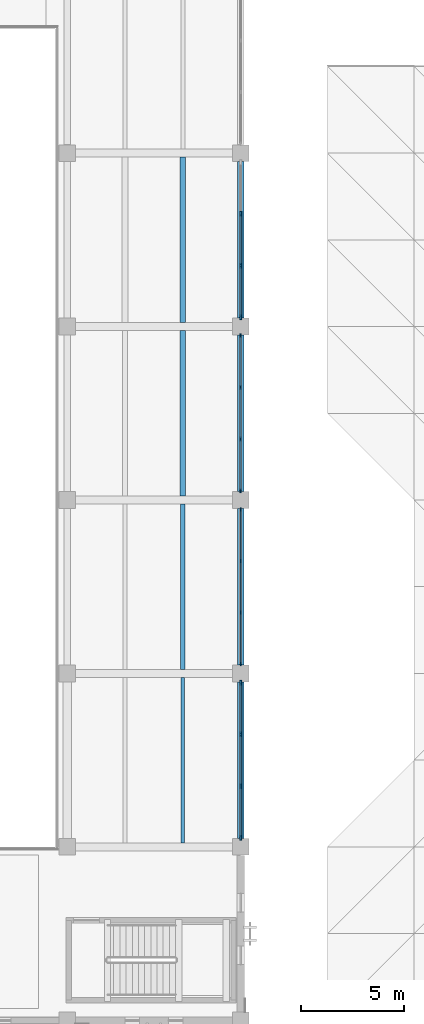
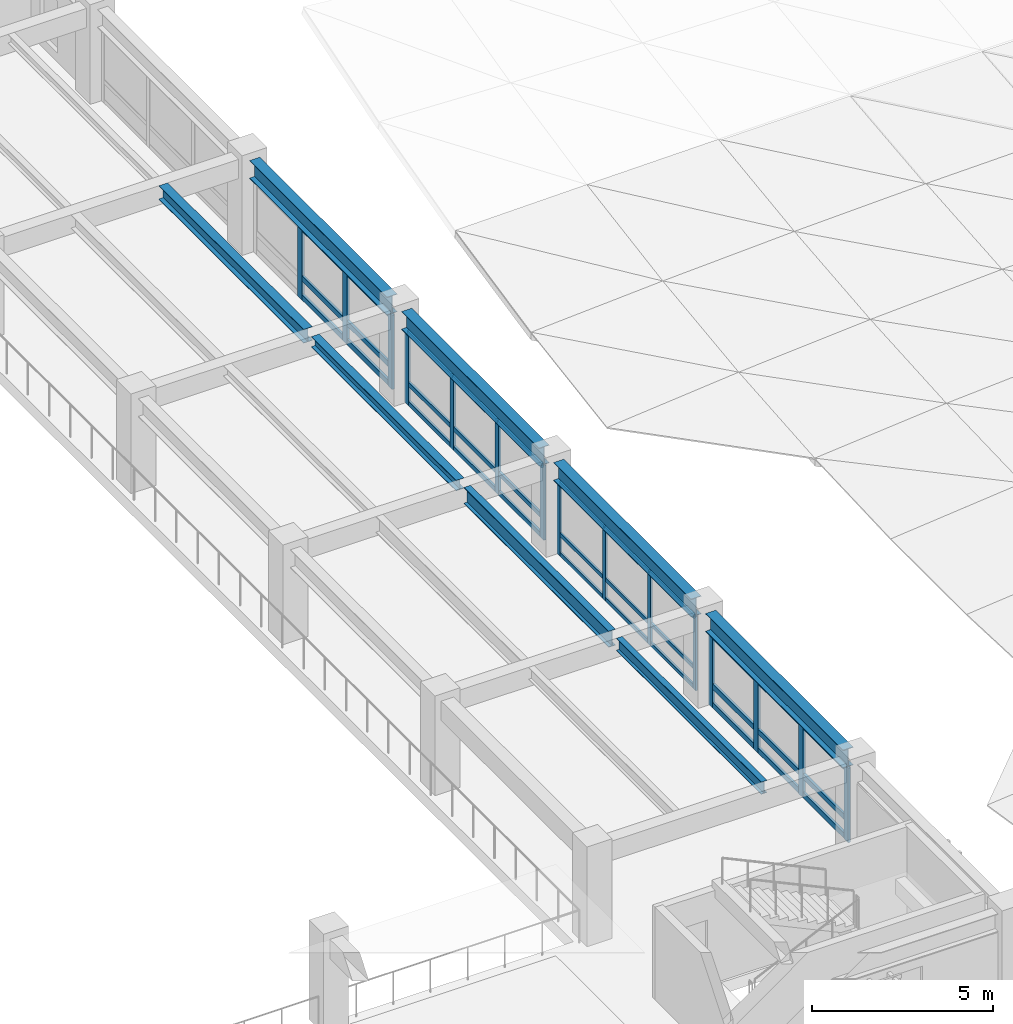
# One storey, part 12 of 123: 48 members, 8 beams, 4 elements without a shape of their own.
"""IFC4 building model written with IfcOpenShell, lengths in metres."""

from ifc_helpers import new_model, si_unit, direction, frame, origin, origin_2d, place, context, subcontext, project, spatial, rectangle, i_section, extrude, material, material_profile, profile_set, type_object, element, aggregate, save


model = new_model("IFC4")

# Units and contexts
model_context = context("Model", 3, precision=1e-05, world=origin(), true_north=direction((0.0, 1.0)))
body_context = subcontext(model_context, "Body", "Model", "MODEL_VIEW")
ifc_project = project(units=[si_unit("LENGTHUNIT", "METRE"), si_unit("AREAUNIT", "SQUARE_METRE"), si_unit("VOLUMEUNIT", "CUBIC_METRE"), si_unit("PLANEANGLEUNIT", "RADIAN"), si_unit("MASSUNIT", "GRAM", prefix="KILO")], contexts=[model_context])

# Site, building, storey
site_placement = place(None, origin())
site = spatial("IfcSite", under=ifc_project, at=site_placement, CompositionType="ELEMENT")
building_placement = place(site_placement, origin())
building = spatial("IfcBuilding", under=site, at=building_placement, Name="Cumbredor Promenade Congress Hotel", CompositionType="ELEMENT")
storey_placement = place(building_placement, frame((0.0, 0.0, 11.760009765625)))
storey = spatial("IfcBuildingStorey", under=building, at=storey_placement, Name="L03", CompositionType="ELEMENT", Elevation=11.760009765625)

# Curtain wall, members
ifc_material_1 = material(Name="Thermally broken anodized aluminium and low-E glass", Category="aluminium")
curtain_wall_type = type_object("IfcCurtainWallType", Name="Unitised Bronze Curtain Wall CW-01", PredefinedType="NOTDEFINED", material=ifc_material_1)
curtain_wall_1_placement = place(storey_placement, origin())
curtain_wall_1 = element("IfcCurtainWall", 1, at=curtain_wall_1_placement, inside=storey, type_object=curtain_wall_type, Name="L03 Plenary Congress Hall East Curtain Wall 3", PredefinedType="NOTDEFINED")
ifc_material_2 = material(Name="Thermally broken anodized aluminium", Category="aluminium")
ifc_material_profile_1 = material_profile(ifc_material_2, rectangle(XDim=0.06494140625, YDim=0.159912109375, at=origin_2d()), Name="ALU MULLION 65x160")
ifc_profile_set_1 = profile_set([ifc_material_profile_1], Name="Thermally broken anodized aluminium")
member_type_1 = type_object("IfcMemberType", Name="Curtain Wall Mullion ML-01", PredefinedType="MULLION", material=ifc_profile_set_1)
member_1_placement = place(storey_placement, frame((67.199951171875, 25.655029296875, -0.008056640625), z_axis=(0.0, 0.0, 1.0), x_axis=(1.0, 0.0, 0.0)))
member_1 = element("IfcMember", 2, at=member_1_placement, type_object=member_type_1, Name="L03 Plenary Congress Hall East Curtain Wall 3 Mullion 1", PredefinedType="MULLION", context=body_context, shape_type="SweptSolid", body=[
    extrude(rectangle(XDim=0.06494140625, YDim=0.159912109375, at=origin_2d()), origin(), (0.0, 0.0, 1.0), 2.510009765625),
])
member_2_placement = place(storey_placement, frame((67.199951171875, 28.151611328125, -0.008056640625), z_axis=(0.0, 0.0, 1.0), x_axis=(1.0, 0.0, 0.0)))
member_2 = element("IfcMember", 3, at=member_2_placement, type_object=member_type_1, Name="L03 Plenary Congress Hall East Curtain Wall 3 Mullion 2", PredefinedType="MULLION", context=body_context, shape_type="SweptSolid", body=[
    extrude(rectangle(XDim=0.06494140625, YDim=0.159912109375, at=origin_2d()), origin(), (0.0, 0.0, 1.0), 2.510009765625),
])
member_3_placement = place(storey_placement, frame((67.199951171875, 30.648193359375, -0.008056640625), z_axis=(0.0, 0.0, 1.0), x_axis=(1.0, 0.0, 0.0)))
member_3 = element("IfcMember", 4, at=member_3_placement, type_object=member_type_1, Name="L03 Plenary Congress Hall East Curtain Wall 3 Mullion 3", PredefinedType="MULLION", context=body_context, shape_type="SweptSolid", body=[
    extrude(rectangle(XDim=0.06494140625, YDim=0.159912109375, at=origin_2d()), origin(), (0.0, 0.0, 1.0), 2.510009765625),
])
member_4_placement = place(storey_placement, frame((67.199951171875, 33.14501953125, -0.008056640625), z_axis=(0.0, 0.0, 1.0), x_axis=(1.0, 0.0, 0.0)))
member_4 = element("IfcMember", 5, at=member_4_placement, type_object=member_type_1, Name="L03 Plenary Congress Hall East Curtain Wall 3 Mullion 4", PredefinedType="MULLION", context=body_context, shape_type="SweptSolid", body=[
    extrude(rectangle(XDim=0.06494140625, YDim=0.159912109375, at=origin_2d()), origin(), (0.0, 0.0, 1.0), 2.510009765625),
])

curtain_wall_2_placement = place(storey_placement, origin())
curtain_wall_2 = element("IfcCurtainWall", 6, at=curtain_wall_2_placement, inside=storey, type_object=curtain_wall_type, Name="L03 Plenary Congress Hall East Curtain Wall 4", PredefinedType="NOTDEFINED")
ifc_material_profile_2 = material_profile(ifc_material_2, rectangle(XDim=0.074951171875, YDim=0.199951171875, at=origin_2d()), Name="ALU MULLION 75x200")
ifc_profile_set_2 = profile_set([ifc_material_profile_2], Name="Thermally broken anodized aluminium")
member_type_2 = type_object("IfcMemberType", Name="Curtain Wall Mullion ML-02", PredefinedType="MULLION", material=ifc_profile_set_2)
member_5_placement = place(storey_placement, frame((67.199951171875, 34.054931640625, -0.008056640625), z_axis=(0.0, 0.0, 1.0), x_axis=(1.0, 0.0, 0.0)))
member_5 = element("IfcMember", 7, at=member_5_placement, type_object=member_type_2, Name="L03 Plenary Congress Hall East Curtain Wall 4 Mullion 1", PredefinedType="MULLION", context=body_context, shape_type="SweptSolid", body=[
    extrude(rectangle(XDim=0.074951171875, YDim=0.199951171875, at=origin_2d()), origin(), (0.0, 0.0, 1.0), 2.510009765625),
])
member_6_placement = place(storey_placement, frame((67.199951171875, 36.5517578125, -0.008056640625), z_axis=(0.0, 0.0, 1.0), x_axis=(1.0, 0.0, 0.0)))
member_6 = element("IfcMember", 8, at=member_6_placement, type_object=member_type_2, Name="L03 Plenary Congress Hall East Curtain Wall 4 Mullion 2", PredefinedType="MULLION", context=body_context, shape_type="SweptSolid", body=[
    extrude(rectangle(XDim=0.074951171875, YDim=0.199951171875, at=origin_2d()), origin(), (0.0, 0.0, 1.0), 2.510009765625),
])
member_7_placement = place(storey_placement, frame((67.199951171875, 39.04833984375, -0.008056640625), z_axis=(0.0, 0.0, 1.0), x_axis=(1.0, 0.0, 0.0)))
member_7 = element("IfcMember", 9, at=member_7_placement, type_object=member_type_2, Name="L03 Plenary Congress Hall East Curtain Wall 4 Mullion 3", PredefinedType="MULLION", context=body_context, shape_type="SweptSolid", body=[
    extrude(rectangle(XDim=0.074951171875, YDim=0.199951171875, at=origin_2d()), origin(), (0.0, 0.0, 1.0), 2.510009765625),
])
member_8_placement = place(storey_placement, frame((67.199951171875, 41.544921875, -0.008056640625), z_axis=(0.0, 0.0, 1.0), x_axis=(1.0, 0.0, 0.0)))
member_8 = element("IfcMember", 10, at=member_8_placement, type_object=member_type_2, Name="L03 Plenary Congress Hall East Curtain Wall 4 Mullion 4", PredefinedType="MULLION", context=body_context, shape_type="SweptSolid", body=[
    extrude(rectangle(XDim=0.074951171875, YDim=0.199951171875, at=origin_2d()), origin(), (0.0, 0.0, 1.0), 2.510009765625),
])

curtain_wall_3_placement = place(storey_placement, origin())
curtain_wall_3 = element("IfcCurtainWall", 11, at=curtain_wall_3_placement, inside=storey, type_object=curtain_wall_type, Name="L03 Plenary Congress Hall East Curtain Wall 2", PredefinedType="NOTDEFINED")
ifc_material_profile_3 = material_profile(ifc_material_2, rectangle(XDim=0.080078125, YDim=0.239990234375, at=origin_2d()), Name="ALU MULLION 80x240")
ifc_profile_set_3 = profile_set([ifc_material_profile_3], Name="Thermally broken anodized aluminium")
member_type_3 = type_object("IfcMemberType", Name="Curtain Wall Mullion ML-03", PredefinedType="MULLION", material=ifc_profile_set_3)
member_9_placement = place(storey_placement, frame((67.199951171875, 17.2548828125, -0.008056640625), z_axis=(0.0, 0.0, 1.0), x_axis=(1.0, 0.0, 0.0)))
member_9 = element("IfcMember", 12, at=member_9_placement, type_object=member_type_3, Name="L03 Plenary Congress Hall East Curtain Wall 2 Mullion 1", PredefinedType="MULLION", context=body_context, shape_type="SweptSolid", body=[
    extrude(rectangle(XDim=0.080078125, YDim=0.239990234375, at=origin_2d()), origin(), (0.0, 0.0, 1.0), 2.510009765625),
])
member_10_placement = place(storey_placement, frame((67.199951171875, 19.751708984375, -0.008056640625), z_axis=(0.0, 0.0, 1.0), x_axis=(1.0, 0.0, 0.0)))
member_10 = element("IfcMember", 13, at=member_10_placement, type_object=member_type_3, Name="L03 Plenary Congress Hall East Curtain Wall 2 Mullion 2", PredefinedType="MULLION", context=body_context, shape_type="SweptSolid", body=[
    extrude(rectangle(XDim=0.080078125, YDim=0.239990234375, at=origin_2d()), origin(), (0.0, 0.0, 1.0), 2.510009765625),
])
member_11_placement = place(storey_placement, frame((67.199951171875, 22.248291015625, -0.008056640625), z_axis=(0.0, 0.0, 1.0), x_axis=(1.0, 0.0, 0.0)))
member_11 = element("IfcMember", 14, at=member_11_placement, type_object=member_type_3, Name="L03 Plenary Congress Hall East Curtain Wall 2 Mullion 3", PredefinedType="MULLION", context=body_context, shape_type="SweptSolid", body=[
    extrude(rectangle(XDim=0.080078125, YDim=0.239990234375, at=origin_2d()), origin(), (0.0, 0.0, 1.0), 2.510009765625),
])
member_12_placement = place(storey_placement, frame((67.199951171875, 24.7451171875, -0.008056640625), z_axis=(0.0, 0.0, 1.0), x_axis=(1.0, 0.0, 0.0)))
member_12 = element("IfcMember", 15, at=member_12_placement, type_object=member_type_3, Name="L03 Plenary Congress Hall East Curtain Wall 2 Mullion 4", PredefinedType="MULLION", context=body_context, shape_type="SweptSolid", body=[
    extrude(rectangle(XDim=0.080078125, YDim=0.239990234375, at=origin_2d()), origin(), (0.0, 0.0, 1.0), 2.510009765625),
])

curtain_wall_4_placement = place(storey_placement, origin())
curtain_wall_4 = element("IfcCurtainWall", 16, at=curtain_wall_4_placement, inside=storey, type_object=curtain_wall_type, Name="L03 Plenary Congress Hall East Curtain Wall 5", PredefinedType="NOTDEFINED")
member_13_placement = place(storey_placement, frame((67.199951171875, 42.455078125, -0.008056640625), z_axis=(0.0, 0.0, 1.0), x_axis=(1.0, 0.0, 0.0)))
member_13 = element("IfcMember", 17, at=member_13_placement, type_object=member_type_3, Name="L03 Plenary Congress Hall East Curtain Wall 5 Mullion 1", PredefinedType="MULLION", context=body_context, shape_type="SweptSolid", body=[
    extrude(rectangle(XDim=0.080078125, YDim=0.239990234375, at=origin_2d()), origin(), (0.0, 0.0, 1.0), 2.510009765625),
])
member_14_placement = place(storey_placement, frame((67.199951171875, 44.95166015625, -0.008056640625), z_axis=(0.0, 0.0, 1.0), x_axis=(1.0, 0.0, 0.0)))
member_14 = element("IfcMember", 18, at=member_14_placement, type_object=member_type_3, Name="L03 Plenary Congress Hall East Curtain Wall 5 Mullion 2", PredefinedType="MULLION", context=body_context, shape_type="SweptSolid", body=[
    extrude(rectangle(XDim=0.080078125, YDim=0.239990234375, at=origin_2d()), origin(), (0.0, 0.0, 1.0), 2.510009765625),
])
member_15_placement = place(storey_placement, frame((67.199951171875, 47.4482421875, -0.008056640625), z_axis=(0.0, 0.0, 1.0), x_axis=(1.0, 0.0, 0.0)))
member_15 = element("IfcMember", 19, at=member_15_placement, type_object=member_type_3, Name="L03 Plenary Congress Hall East Curtain Wall 5 Mullion 3", PredefinedType="MULLION", context=body_context, shape_type="SweptSolid", body=[
    extrude(rectangle(XDim=0.080078125, YDim=0.239990234375, at=origin_2d()), origin(), (0.0, 0.0, 1.0), 2.510009765625),
])

# Member
ifc_material_profile_4 = material_profile(ifc_material_2, rectangle(XDim=0.06494140625, YDim=0.1298828125, at=origin_2d()), Name="ALU TRANSOM 65x130")
ifc_profile_set_4 = profile_set([ifc_material_profile_4], Name="Thermally broken anodized aluminium")
member_type_4 = type_object("IfcMemberType", Name="Curtain Wall Transom TR-01", PredefinedType="USERDEFINED", material=ifc_profile_set_4)
member_16_placement = place(storey_placement, frame((67.199951171875, 25.6875, 0.06005859375), z_axis=(0.0, 1.0, 0.0), x_axis=(-1.0, 0.0, 0.0)))
member_16 = element("IfcMember", 20, at=member_16_placement, type_object=member_type_4, Name="L03 Plenary Congress Hall East Curtain Wall 3 Transom 1.1", ObjectType="TRANSOM", PredefinedType="USERDEFINED", context=body_context, shape_type="SweptSolid", body=[
    extrude(rectangle(XDim=0.06494140625, YDim=0.1298828125, at=origin_2d()), origin(), (0.0, 0.0, 1.0), 2.431640625),
])

member_17_placement = place(storey_placement, frame((67.199951171875, 25.6875, 0.719970703125), z_axis=(0.0, 1.0, 0.0), x_axis=(-1.0, 0.0, 0.0)))
member_17 = element("IfcMember", 21, at=member_17_placement, type_object=member_type_4, Name="L03 Plenary Congress Hall East Curtain Wall 3 Transom 1.2", ObjectType="TRANSOM", PredefinedType="USERDEFINED", context=body_context, shape_type="SweptSolid", body=[
    extrude(rectangle(XDim=0.06494140625, YDim=0.1298828125, at=origin_2d()), origin(), (0.0, 0.0, 1.0), 2.431640625),
])

member_18_placement = place(storey_placement, frame((67.199951171875, 25.6875, 2.429931640625), z_axis=(0.0, 1.0, 0.0), x_axis=(-1.0, 0.0, 0.0)))
member_18 = element("IfcMember", 22, at=member_18_placement, type_object=member_type_4, Name="L03 Plenary Congress Hall East Curtain Wall 3 Transom 1.3", ObjectType="TRANSOM", PredefinedType="USERDEFINED", context=body_context, shape_type="SweptSolid", body=[
    extrude(rectangle(XDim=0.06494140625, YDim=0.1298828125, at=origin_2d()), origin(), (0.0, 0.0, 1.0), 2.431640625),
])

member_19_placement = place(storey_placement, frame((67.199951171875, 28.18408203125, 0.06005859375), z_axis=(0.0, 1.0, 0.0), x_axis=(-1.0, 0.0, 0.0)))
member_19 = element("IfcMember", 23, at=member_19_placement, type_object=member_type_4, Name="L03 Plenary Congress Hall East Curtain Wall 3 Transom 2.1", ObjectType="TRANSOM", PredefinedType="USERDEFINED", context=body_context, shape_type="SweptSolid", body=[
    extrude(rectangle(XDim=0.06494140625, YDim=0.1298828125, at=origin_2d()), origin(), (0.0, 0.0, 1.0), 2.431640625),
])

member_20_placement = place(storey_placement, frame((67.199951171875, 28.18408203125, 0.719970703125), z_axis=(0.0, 1.0, 0.0), x_axis=(-1.0, 0.0, 0.0)))
member_20 = element("IfcMember", 24, at=member_20_placement, type_object=member_type_4, Name="L03 Plenary Congress Hall East Curtain Wall 3 Transom 2.2", ObjectType="TRANSOM", PredefinedType="USERDEFINED", context=body_context, shape_type="SweptSolid", body=[
    extrude(rectangle(XDim=0.06494140625, YDim=0.1298828125, at=origin_2d()), origin(), (0.0, 0.0, 1.0), 2.431640625),
])

member_21_placement = place(storey_placement, frame((67.199951171875, 28.18408203125, 2.429931640625), z_axis=(0.0, 1.0, 0.0), x_axis=(-1.0, 0.0, 0.0)))
member_21 = element("IfcMember", 25, at=member_21_placement, type_object=member_type_4, Name="L03 Plenary Congress Hall East Curtain Wall 3 Transom 2.3", ObjectType="TRANSOM", PredefinedType="USERDEFINED", context=body_context, shape_type="SweptSolid", body=[
    extrude(rectangle(XDim=0.06494140625, YDim=0.1298828125, at=origin_2d()), origin(), (0.0, 0.0, 1.0), 2.431640625),
])

member_22_placement = place(storey_placement, frame((67.199951171875, 30.680908203125, 0.06005859375), z_axis=(0.0, 1.0, 0.0), x_axis=(-1.0, 0.0, 0.0)))
member_22 = element("IfcMember", 26, at=member_22_placement, type_object=member_type_4, Name="L03 Plenary Congress Hall East Curtain Wall 3 Transom 3.1", ObjectType="TRANSOM", PredefinedType="USERDEFINED", context=body_context, shape_type="SweptSolid", body=[
    extrude(rectangle(XDim=0.06494140625, YDim=0.1298828125, at=origin_2d()), origin(), (0.0, 0.0, 1.0), 2.431640625),
])

member_23_placement = place(storey_placement, frame((67.199951171875, 30.680908203125, 0.719970703125), z_axis=(0.0, 1.0, 0.0), x_axis=(-1.0, 0.0, 0.0)))
member_23 = element("IfcMember", 27, at=member_23_placement, type_object=member_type_4, Name="L03 Plenary Congress Hall East Curtain Wall 3 Transom 3.2", ObjectType="TRANSOM", PredefinedType="USERDEFINED", context=body_context, shape_type="SweptSolid", body=[
    extrude(rectangle(XDim=0.06494140625, YDim=0.1298828125, at=origin_2d()), origin(), (0.0, 0.0, 1.0), 2.431640625),
])

member_24_placement = place(storey_placement, frame((67.199951171875, 30.680908203125, 2.429931640625), z_axis=(0.0, 1.0, 0.0), x_axis=(-1.0, 0.0, 0.0)))
member_24 = element("IfcMember", 28, at=member_24_placement, type_object=member_type_4, Name="L03 Plenary Congress Hall East Curtain Wall 3 Transom 3.3", ObjectType="TRANSOM", PredefinedType="USERDEFINED", context=body_context, shape_type="SweptSolid", body=[
    extrude(rectangle(XDim=0.06494140625, YDim=0.1298828125, at=origin_2d()), origin(), (0.0, 0.0, 1.0), 2.431640625),
])

aggregate(curtain_wall_1, [member_1, member_2, member_3, member_4, member_16, member_17, member_18, member_19, member_20, member_21, member_22, member_23, member_24])

ifc_material_profile_5 = material_profile(ifc_material_2, rectangle(XDim=0.074951171875, YDim=0.14990234375, at=origin_2d()), Name="ALU TRANSOM 75x150")
ifc_profile_set_5 = profile_set([ifc_material_profile_5], Name="Thermally broken anodized aluminium")
member_type_5 = type_object("IfcMemberType", Name="Curtain Wall Transom TR-02", PredefinedType="USERDEFINED", material=ifc_profile_set_5)
member_25_placement = place(storey_placement, frame((67.199951171875, 34.092529296875, 0.070068359375), z_axis=(0.0, 1.0, 0.0), x_axis=(-1.0, 0.0, 0.0)))
member_25 = element("IfcMember", 29, at=member_25_placement, type_object=member_type_5, Name="L03 Plenary Congress Hall East Curtain Wall 4 Transom 1.1", ObjectType="TRANSOM", PredefinedType="USERDEFINED", context=body_context, shape_type="SweptSolid", body=[
    extrude(rectangle(XDim=0.074951171875, YDim=0.14990234375, at=origin_2d()), origin(), (0.0, 0.0, 1.0), 2.421630859375),
])

member_26_placement = place(storey_placement, frame((67.199951171875, 34.092529296875, 0.719970703125), z_axis=(0.0, 1.0, 0.0), x_axis=(-1.0, 0.0, 0.0)))
member_26 = element("IfcMember", 30, at=member_26_placement, type_object=member_type_5, Name="L03 Plenary Congress Hall East Curtain Wall 4 Transom 1.2", ObjectType="TRANSOM", PredefinedType="USERDEFINED", context=body_context, shape_type="SweptSolid", body=[
    extrude(rectangle(XDim=0.074951171875, YDim=0.14990234375, at=origin_2d()), origin(), (0.0, 0.0, 1.0), 2.421630859375),
])

member_27_placement = place(storey_placement, frame((67.199951171875, 34.092529296875, 2.419921875), z_axis=(0.0, 1.0, 0.0), x_axis=(-1.0, 0.0, 0.0)))
member_27 = element("IfcMember", 31, at=member_27_placement, type_object=member_type_5, Name="L03 Plenary Congress Hall East Curtain Wall 4 Transom 1.3", ObjectType="TRANSOM", PredefinedType="USERDEFINED", context=body_context, shape_type="SweptSolid", body=[
    extrude(rectangle(XDim=0.074951171875, YDim=0.14990234375, at=origin_2d()), origin(), (0.0, 0.0, 1.0), 2.421630859375),
])

member_28_placement = place(storey_placement, frame((67.199951171875, 36.589111328125, 0.070068359375), z_axis=(0.0, 1.0, 0.0), x_axis=(-1.0, 0.0, 0.0)))
member_28 = element("IfcMember", 32, at=member_28_placement, type_object=member_type_5, Name="L03 Plenary Congress Hall East Curtain Wall 4 Transom 2.1", ObjectType="TRANSOM", PredefinedType="USERDEFINED", context=body_context, shape_type="SweptSolid", body=[
    extrude(rectangle(XDim=0.074951171875, YDim=0.14990234375, at=origin_2d()), origin(), (0.0, 0.0, 1.0), 2.421630859375),
])

member_29_placement = place(storey_placement, frame((67.199951171875, 36.589111328125, 0.719970703125), z_axis=(0.0, 1.0, 0.0), x_axis=(-1.0, 0.0, 0.0)))
member_29 = element("IfcMember", 33, at=member_29_placement, type_object=member_type_5, Name="L03 Plenary Congress Hall East Curtain Wall 4 Transom 2.2", ObjectType="TRANSOM", PredefinedType="USERDEFINED", context=body_context, shape_type="SweptSolid", body=[
    extrude(rectangle(XDim=0.074951171875, YDim=0.14990234375, at=origin_2d()), origin(), (0.0, 0.0, 1.0), 2.421630859375),
])

member_30_placement = place(storey_placement, frame((67.199951171875, 36.589111328125, 2.419921875), z_axis=(0.0, 1.0, 0.0), x_axis=(-1.0, 0.0, 0.0)))
member_30 = element("IfcMember", 34, at=member_30_placement, type_object=member_type_5, Name="L03 Plenary Congress Hall East Curtain Wall 4 Transom 2.3", ObjectType="TRANSOM", PredefinedType="USERDEFINED", context=body_context, shape_type="SweptSolid", body=[
    extrude(rectangle(XDim=0.074951171875, YDim=0.14990234375, at=origin_2d()), origin(), (0.0, 0.0, 1.0), 2.421630859375),
])

member_31_placement = place(storey_placement, frame((67.199951171875, 39.085693359375, 0.070068359375), z_axis=(0.0, 1.0, 0.0), x_axis=(-1.0, 0.0, 0.0)))
member_31 = element("IfcMember", 35, at=member_31_placement, type_object=member_type_5, Name="L03 Plenary Congress Hall East Curtain Wall 4 Transom 3.1", ObjectType="TRANSOM", PredefinedType="USERDEFINED", context=body_context, shape_type="SweptSolid", body=[
    extrude(rectangle(XDim=0.074951171875, YDim=0.14990234375, at=origin_2d()), origin(), (0.0, 0.0, 1.0), 2.421875),
])

member_32_placement = place(storey_placement, frame((67.199951171875, 39.085693359375, 0.719970703125), z_axis=(0.0, 1.0, 0.0), x_axis=(-1.0, 0.0, 0.0)))
member_32 = element("IfcMember", 36, at=member_32_placement, type_object=member_type_5, Name="L03 Plenary Congress Hall East Curtain Wall 4 Transom 3.2", ObjectType="TRANSOM", PredefinedType="USERDEFINED", context=body_context, shape_type="SweptSolid", body=[
    extrude(rectangle(XDim=0.074951171875, YDim=0.14990234375, at=origin_2d()), origin(), (0.0, 0.0, 1.0), 2.421875),
])

member_33_placement = place(storey_placement, frame((67.199951171875, 39.085693359375, 2.419921875), z_axis=(0.0, 1.0, 0.0), x_axis=(-1.0, 0.0, 0.0)))
member_33 = element("IfcMember", 37, at=member_33_placement, type_object=member_type_5, Name="L03 Plenary Congress Hall East Curtain Wall 4 Transom 3.3", ObjectType="TRANSOM", PredefinedType="USERDEFINED", context=body_context, shape_type="SweptSolid", body=[
    extrude(rectangle(XDim=0.074951171875, YDim=0.14990234375, at=origin_2d()), origin(), (0.0, 0.0, 1.0), 2.421875),
])

aggregate(curtain_wall_2, [member_5, member_6, member_7, member_8, member_25, member_26, member_27, member_28, member_29, member_30, member_31, member_32, member_33])

ifc_material_profile_6 = material_profile(ifc_material_2, rectangle(XDim=0.080078125, YDim=0.179931640625, at=origin_2d()), Name="ALU TRANSOM 80x180")
ifc_profile_set_6 = profile_set([ifc_material_profile_6], Name="Thermally broken anodized aluminium")
member_type_6 = type_object("IfcMemberType", Name="Curtain Wall Transom TR-03", PredefinedType="USERDEFINED", material=ifc_profile_set_6)
member_34_placement = place(storey_placement, frame((67.199951171875, 17.294921875, 0.090087890625), z_axis=(0.0, 1.0, 0.0), x_axis=(-1.0, 0.0, 0.0)))
member_34 = element("IfcMember", 38, at=member_34_placement, type_object=member_type_6, Name="L03 Plenary Congress Hall East Curtain Wall 2 Transom 1.1", ObjectType="TRANSOM", PredefinedType="USERDEFINED", context=body_context, shape_type="SweptSolid", body=[
    extrude(rectangle(XDim=0.080078125, YDim=0.179931640625, at=origin_2d()), origin(), (0.0, 0.0, 1.0), 2.416748046875),
])

member_35_placement = place(storey_placement, frame((67.199951171875, 17.294921875, 0.719970703125), z_axis=(0.0, 1.0, 0.0), x_axis=(-1.0, 0.0, 0.0)))
member_35 = element("IfcMember", 39, at=member_35_placement, type_object=member_type_6, Name="L03 Plenary Congress Hall East Curtain Wall 2 Transom 1.2", ObjectType="TRANSOM", PredefinedType="USERDEFINED", context=body_context, shape_type="SweptSolid", body=[
    extrude(rectangle(XDim=0.080078125, YDim=0.179931640625, at=origin_2d()), origin(), (0.0, 0.0, 1.0), 2.416748046875),
])

member_36_placement = place(storey_placement, frame((67.199951171875, 17.294921875, 2.39990234375), z_axis=(0.0, 1.0, 0.0), x_axis=(-1.0, 0.0, 0.0)))
member_36 = element("IfcMember", 40, at=member_36_placement, type_object=member_type_6, Name="L03 Plenary Congress Hall East Curtain Wall 2 Transom 1.3", ObjectType="TRANSOM", PredefinedType="USERDEFINED", context=body_context, shape_type="SweptSolid", body=[
    extrude(rectangle(XDim=0.080078125, YDim=0.179931640625, at=origin_2d()), origin(), (0.0, 0.0, 1.0), 2.416748046875),
])

member_37_placement = place(storey_placement, frame((67.199951171875, 19.791748046875, 0.090087890625), z_axis=(0.0, 1.0, 0.0), x_axis=(-1.0, 0.0, 0.0)))
member_37 = element("IfcMember", 41, at=member_37_placement, type_object=member_type_6, Name="L03 Plenary Congress Hall East Curtain Wall 2 Transom 2.1", ObjectType="TRANSOM", PredefinedType="USERDEFINED", context=body_context, shape_type="SweptSolid", body=[
    extrude(rectangle(XDim=0.080078125, YDim=0.179931640625, at=origin_2d()), origin(), (0.0, 0.0, 1.0), 2.41650390625),
])

member_38_placement = place(storey_placement, frame((67.199951171875, 19.791748046875, 0.719970703125), z_axis=(0.0, 1.0, 0.0), x_axis=(-1.0, 0.0, 0.0)))
member_38 = element("IfcMember", 42, at=member_38_placement, type_object=member_type_6, Name="L03 Plenary Congress Hall East Curtain Wall 2 Transom 2.2", ObjectType="TRANSOM", PredefinedType="USERDEFINED", context=body_context, shape_type="SweptSolid", body=[
    extrude(rectangle(XDim=0.080078125, YDim=0.179931640625, at=origin_2d()), origin(), (0.0, 0.0, 1.0), 2.41650390625),
])

member_39_placement = place(storey_placement, frame((67.199951171875, 19.791748046875, 2.39990234375), z_axis=(0.0, 1.0, 0.0), x_axis=(-1.0, 0.0, 0.0)))
member_39 = element("IfcMember", 43, at=member_39_placement, type_object=member_type_6, Name="L03 Plenary Congress Hall East Curtain Wall 2 Transom 2.3", ObjectType="TRANSOM", PredefinedType="USERDEFINED", context=body_context, shape_type="SweptSolid", body=[
    extrude(rectangle(XDim=0.080078125, YDim=0.179931640625, at=origin_2d()), origin(), (0.0, 0.0, 1.0), 2.41650390625),
])

member_40_placement = place(storey_placement, frame((67.199951171875, 22.288330078125, 0.090087890625), z_axis=(0.0, 1.0, 0.0), x_axis=(-1.0, 0.0, 0.0)))
member_40 = element("IfcMember", 44, at=member_40_placement, type_object=member_type_6, Name="L03 Plenary Congress Hall East Curtain Wall 2 Transom 3.1", ObjectType="TRANSOM", PredefinedType="USERDEFINED", context=body_context, shape_type="SweptSolid", body=[
    extrude(rectangle(XDim=0.080078125, YDim=0.179931640625, at=origin_2d()), origin(), (0.0, 0.0, 1.0), 2.416748046875),
])

member_41_placement = place(storey_placement, frame((67.199951171875, 22.288330078125, 0.719970703125), z_axis=(0.0, 1.0, 0.0), x_axis=(-1.0, 0.0, 0.0)))
member_41 = element("IfcMember", 45, at=member_41_placement, type_object=member_type_6, Name="L03 Plenary Congress Hall East Curtain Wall 2 Transom 3.2", ObjectType="TRANSOM", PredefinedType="USERDEFINED", context=body_context, shape_type="SweptSolid", body=[
    extrude(rectangle(XDim=0.080078125, YDim=0.179931640625, at=origin_2d()), origin(), (0.0, 0.0, 1.0), 2.416748046875),
])

member_42_placement = place(storey_placement, frame((67.199951171875, 22.288330078125, 2.39990234375), z_axis=(0.0, 1.0, 0.0), x_axis=(-1.0, 0.0, 0.0)))
member_42 = element("IfcMember", 46, at=member_42_placement, type_object=member_type_6, Name="L03 Plenary Congress Hall East Curtain Wall 2 Transom 3.3", ObjectType="TRANSOM", PredefinedType="USERDEFINED", context=body_context, shape_type="SweptSolid", body=[
    extrude(rectangle(XDim=0.080078125, YDim=0.179931640625, at=origin_2d()), origin(), (0.0, 0.0, 1.0), 2.416748046875),
])

aggregate(curtain_wall_3, [member_9, member_10, member_11, member_12, member_34, member_35, member_36, member_37, member_38, member_39, member_40, member_41, member_42])

member_43_placement = place(storey_placement, frame((67.199951171875, 42.4951171875, 0.090087890625), z_axis=(0.0, 1.0, 0.0), x_axis=(-1.0, 0.0, 0.0)))
member_43 = element("IfcMember", 47, at=member_43_placement, type_object=member_type_6, Name="L03 Plenary Congress Hall East Curtain Wall 5 Transom 1.1", ObjectType="TRANSOM", PredefinedType="USERDEFINED", context=body_context, shape_type="SweptSolid", body=[
    extrude(rectangle(XDim=0.080078125, YDim=0.179931640625, at=origin_2d()), origin(), (0.0, 0.0, 1.0), 2.41650390625),
])

member_44_placement = place(storey_placement, frame((67.199951171875, 42.4951171875, 0.719970703125), z_axis=(0.0, 1.0, 0.0), x_axis=(-1.0, 0.0, 0.0)))
member_44 = element("IfcMember", 48, at=member_44_placement, type_object=member_type_6, Name="L03 Plenary Congress Hall East Curtain Wall 5 Transom 1.2", ObjectType="TRANSOM", PredefinedType="USERDEFINED", context=body_context, shape_type="SweptSolid", body=[
    extrude(rectangle(XDim=0.080078125, YDim=0.179931640625, at=origin_2d()), origin(), (0.0, 0.0, 1.0), 2.41650390625),
])

member_45_placement = place(storey_placement, frame((67.199951171875, 42.4951171875, 2.39990234375), z_axis=(0.0, 1.0, 0.0), x_axis=(-1.0, 0.0, 0.0)))
member_45 = element("IfcMember", 49, at=member_45_placement, type_object=member_type_6, Name="L03 Plenary Congress Hall East Curtain Wall 5 Transom 1.3", ObjectType="TRANSOM", PredefinedType="USERDEFINED", context=body_context, shape_type="SweptSolid", body=[
    extrude(rectangle(XDim=0.080078125, YDim=0.179931640625, at=origin_2d()), origin(), (0.0, 0.0, 1.0), 2.41650390625),
])

member_46_placement = place(storey_placement, frame((67.199951171875, 44.99169921875, 0.090087890625), z_axis=(0.0, 1.0, 0.0), x_axis=(-1.0, 0.0, 0.0)))
member_46 = element("IfcMember", 50, at=member_46_placement, type_object=member_type_6, Name="L03 Plenary Congress Hall East Curtain Wall 5 Transom 2.1", ObjectType="TRANSOM", PredefinedType="USERDEFINED", context=body_context, shape_type="SweptSolid", body=[
    extrude(rectangle(XDim=0.080078125, YDim=0.179931640625, at=origin_2d()), origin(), (0.0, 0.0, 1.0), 2.41650390625),
])

member_47_placement = place(storey_placement, frame((67.199951171875, 44.99169921875, 0.719970703125), z_axis=(0.0, 1.0, 0.0), x_axis=(-1.0, 0.0, 0.0)))
member_47 = element("IfcMember", 51, at=member_47_placement, type_object=member_type_6, Name="L03 Plenary Congress Hall East Curtain Wall 5 Transom 2.2", ObjectType="TRANSOM", PredefinedType="USERDEFINED", context=body_context, shape_type="SweptSolid", body=[
    extrude(rectangle(XDim=0.080078125, YDim=0.179931640625, at=origin_2d()), origin(), (0.0, 0.0, 1.0), 2.41650390625),
])

member_48_placement = place(storey_placement, frame((67.199951171875, 44.99169921875, 2.39990234375), z_axis=(0.0, 1.0, 0.0), x_axis=(-1.0, 0.0, 0.0)))
member_48 = element("IfcMember", 52, at=member_48_placement, type_object=member_type_6, Name="L03 Plenary Congress Hall East Curtain Wall 5 Transom 2.3", ObjectType="TRANSOM", PredefinedType="USERDEFINED", context=body_context, shape_type="SweptSolid", body=[
    extrude(rectangle(XDim=0.080078125, YDim=0.179931640625, at=origin_2d()), origin(), (0.0, 0.0, 1.0), 2.41650390625),
])

aggregate(curtain_wall_4, [member_13, member_14, member_15, member_43, member_44, member_45, member_46, member_47, member_48])

# Beams
ifc_material_3 = material(Name="Steel ASTM A992 Grade 50", Category="steel")
ifc_material_profile_7 = material_profile(ifc_material_3, i_section(OverallWidth=0.2548828125, OverallDepth=0.35693359375, WebThickness=0.010498046875, FlangeThickness=0.018310546875, at=origin_2d()), Name="W14X68")
ifc_profile_set_7 = profile_set([ifc_material_profile_7], Name="Steel ASTM A992 Grade 50")
beam_type_1 = type_object("IfcBeamType", Name="JST-W14X68", PredefinedType="JOIST", material=ifc_profile_set_7)
beam_1_placement = place(storey_placement, frame((64.39990234375, 33.800048828125, 2.94140625), z_axis=(0.0, 1.0, 0.0), x_axis=(-1.0, 0.0, 0.0)))
element("IfcBeam", 53, at=beam_1_placement, inside=storey, type_object=beam_type_1, Name="L04 Secondary Floor Joist 0067", PredefinedType="JOIST", context=body_context, shape_type="SweptSolid", body=[
    extrude(i_section(OverallWidth=0.2548828125, OverallDepth=0.35693359375, WebThickness=0.010498046875, FlangeThickness=0.018310546875, at=origin_2d()), origin(), (0.0, 0.0, 1.0), 8.0),
])
ifc_material_profile_8 = material_profile(ifc_material_3, i_section(OverallWidth=0.180908203125, OverallDepth=0.4169921875, WebThickness=0.010986328125, FlangeThickness=0.018310546875, at=origin_2d()), Name="W16X57")
ifc_profile_set_8 = profile_set([ifc_material_profile_8], Name="Steel ASTM A992 Grade 50")
beam_type_2 = type_object("IfcBeamType", Name="JST-W16X57", PredefinedType="JOIST", material=ifc_profile_set_8)
beam_2_placement = place(storey_placement, frame((64.39990234375, 17.0, 2.911376953125), z_axis=(0.0, 1.0, 0.0), x_axis=(-1.0, 0.0, 0.0)))
element("IfcBeam", 54, at=beam_2_placement, inside=storey, type_object=beam_type_2, Name="L04 Secondary Floor Joist 0063", PredefinedType="JOIST", context=body_context, shape_type="SweptSolid", body=[
    extrude(i_section(OverallWidth=0.180908203125, OverallDepth=0.4169921875, WebThickness=0.010986328125, FlangeThickness=0.018310546875, at=origin_2d()), origin(), (0.0, 0.0, 1.0), 8.0),
])
ifc_material_profile_9 = material_profile(ifc_material_3, i_section(OverallWidth=0.280029296875, OverallDepth=0.462890625, WebThickness=0.0107421875, FlangeThickness=0.017333984375, at=origin_2d()), Name="W18X76")
ifc_profile_set_9 = profile_set([ifc_material_profile_9], Name="Steel ASTM A992 Grade 50")
beam_type_3 = type_object("IfcBeamType", Name="JST-W18X76", PredefinedType="JOIST", material=ifc_profile_set_9)
beam_3_placement = place(storey_placement, frame((64.39990234375, 42.199951171875, 2.888427734375), z_axis=(0.0, 1.0, 0.0), x_axis=(-1.0, 0.0, 0.0)))
element("IfcBeam", 55, at=beam_3_placement, inside=storey, type_object=beam_type_3, Name="L04 Secondary Floor Joist 0069", PredefinedType="JOIST", context=body_context, shape_type="SweptSolid", body=[
    extrude(i_section(OverallWidth=0.280029296875, OverallDepth=0.462890625, WebThickness=0.0107421875, FlangeThickness=0.017333984375, at=origin_2d()), origin(), (0.0, 0.0, 1.0), 8.0),
])
ifc_material_profile_10 = material_profile(ifc_material_3, i_section(OverallWidth=0.214111328125, OverallDepth=0.549072265625, WebThickness=0.0146484375, FlangeThickness=0.023681640625, at=origin_2d()), Name="W21X93")
ifc_profile_set_10 = profile_set([ifc_material_profile_10], Name="Steel ASTM A992 Grade 50")
beam_type_4 = type_object("IfcBeamType", Name="JST-W21X93", PredefinedType="JOIST", material=ifc_profile_set_10)
beam_4_placement = place(storey_placement, frame((64.39990234375, 25.39990234375, 2.845458984375), z_axis=(0.0, 1.0, 0.0), x_axis=(-1.0, 0.0, 0.0)))
element("IfcBeam", 56, at=beam_4_placement, inside=storey, type_object=beam_type_4, Name="L04 Secondary Floor Joist 0065", PredefinedType="JOIST", context=body_context, shape_type="SweptSolid", body=[
    extrude(i_section(OverallWidth=0.214111328125, OverallDepth=0.549072265625, WebThickness=0.0146484375, FlangeThickness=0.023681640625, at=origin_2d()), origin(), (0.0, 0.0, 1.0), 8.0),
])
ifc_material_profile_11 = material_profile(ifc_material_3, i_section(OverallWidth=0.323974609375, OverallDepth=0.611083984375, WebThickness=0.0126953125, FlangeThickness=0.01904296875, at=origin_2d()), Name="W24X104")
ifc_profile_set_11 = profile_set([ifc_material_profile_11], Name="Steel ASTM A992 Grade 50")
beam_type_5 = type_object("IfcBeamType", Name="SP-W24X104", PredefinedType="SPANDREL", material=ifc_profile_set_11)
beam_5_placement = place(storey_placement, frame((67.199951171875, 17.199951171875, 2.814453125), z_axis=(0.0, 1.0, 0.0), x_axis=(-1.0, 0.0, 0.0)))
element("IfcBeam", 57, at=beam_5_placement, inside=storey, type_object=beam_type_5, Name="L04 Y-Grid Beam 126", PredefinedType="SPANDREL", context=body_context, shape_type="SweptSolid", body=[
    extrude(i_section(OverallWidth=0.323974609375, OverallDepth=0.611083984375, WebThickness=0.0126953125, FlangeThickness=0.01904296875, at=origin_2d()), origin(), (0.0, 0.0, 1.0), 7.60009765625),
])
beam_6_placement = place(storey_placement, frame((67.199951171875, 25.60009765625, 2.814453125), z_axis=(0.0, 1.0, 0.0), x_axis=(-1.0, 0.0, 0.0)))
element("IfcBeam", 58, at=beam_6_placement, inside=storey, type_object=beam_type_5, Name="L04 Y-Grid Beam 127", PredefinedType="SPANDREL", context=body_context, shape_type="SweptSolid", body=[
    extrude(i_section(OverallWidth=0.323974609375, OverallDepth=0.611083984375, WebThickness=0.0126953125, FlangeThickness=0.01904296875, at=origin_2d()), origin(), (0.0, 0.0, 1.0), 7.599853515625),
])
for number, where, z_axis, x_axis, name in (
    (59, (67.199951171875, 34.0, 2.814453125), (0.0, 1.0, 0.0), (-1.0, 0.0, 0.0), "L04 Y-Grid Beam 128"),
    (60, (67.199951171875, 42.39990234375, 2.814453125), (0.0, 1.0, 0.0), (-1.0, 0.0, 0.0), "L04 Y-Grid Beam 129"),
):
    element("IfcBeam", number, at=place(storey_placement, frame(where, z_axis=z_axis, x_axis=x_axis)), inside=storey, type_object=beam_type_5, Name=name, PredefinedType="SPANDREL", context=body_context, shape_type="SweptSolid", body=[
        extrude(i_section(OverallWidth=0.323974609375, OverallDepth=0.611083984375, WebThickness=0.0126953125, FlangeThickness=0.01904296875, at=origin_2d()), origin(), (0.0, 0.0, 1.0), 7.60009765625),
    ])

save(model, "model.ifc")
